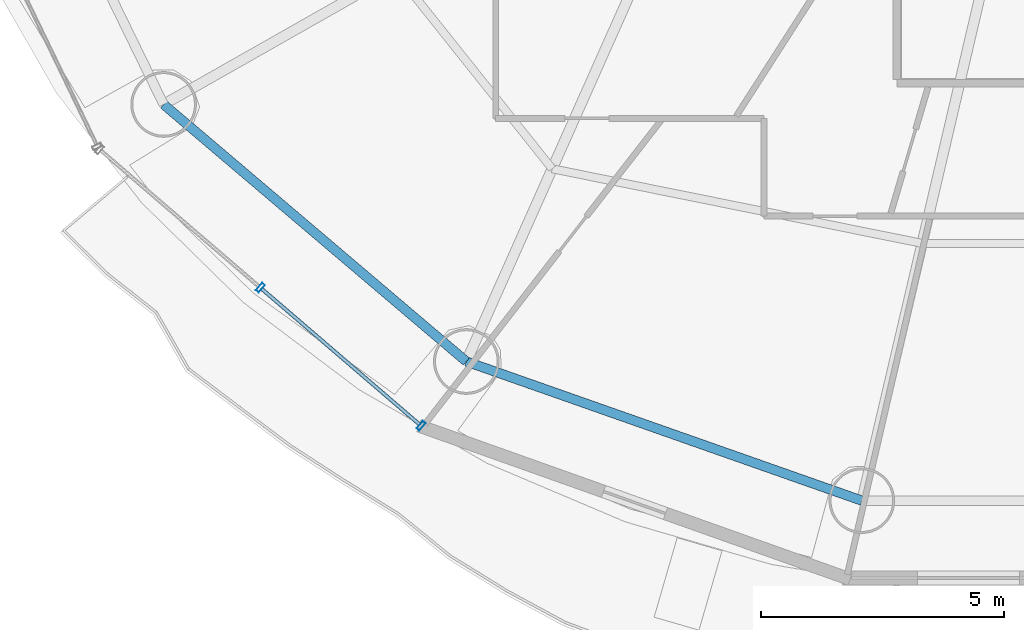
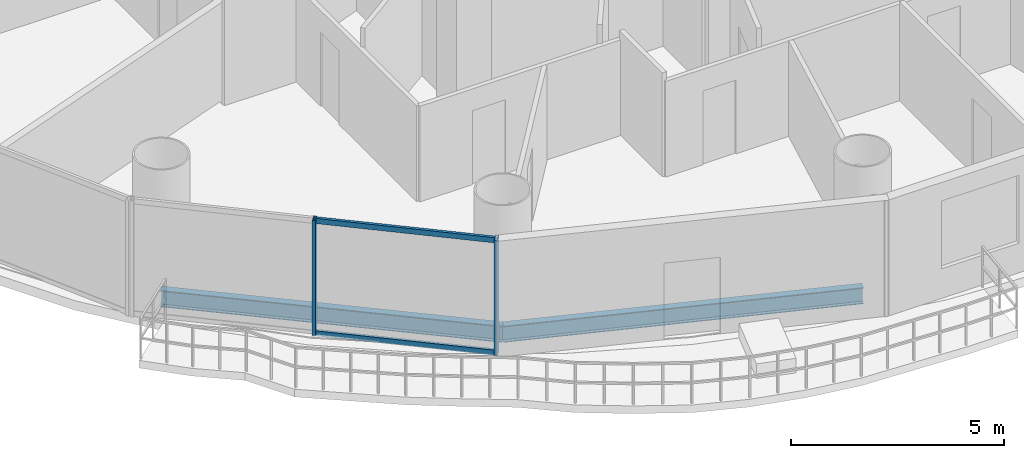
# One storey, part 2 of 27: 4 members, 2 beams, 1 element without a shape of its own.
"""IFC4 building model written with IfcOpenShell, lengths in metres."""

from ifc_helpers import new_model, si_unit, direction, frame, origin, origin_2d, place, context, subcontext, project, spatial, hollow_rectangle, i_section, extrude, source, transform, mapped, material, material_profile, profile_set, type_object, element, aggregate, save


model = new_model("IFC4")

# Units and contexts
model_context = context("Model", 3, precision=1e-05, world=origin(), true_north=direction((-0.2419218956, 0.970295726276)))
body_context = subcontext(model_context, "Body", "Model", "MODEL_VIEW")
ifc_project = project(units=[si_unit("LENGTHUNIT", "METRE"), si_unit("AREAUNIT", "SQUARE_METRE"), si_unit("VOLUMEUNIT", "CUBIC_METRE"), si_unit("PLANEANGLEUNIT", "RADIAN"), si_unit("MASSUNIT", "GRAM", prefix="KILO")], contexts=[model_context])

# Site, building, storey
site_placement = place(None, origin())
site = spatial("IfcSite", under=ifc_project, at=site_placement, CompositionType="ELEMENT")
building_placement = place(site_placement, origin())
building = spatial("IfcBuilding", under=site, at=building_placement, Name="Cobrevalo Terracotta Tower", CompositionType="ELEMENT")
storey_placement = place(building_placement, frame((0.0, 0.0, 146.199951171875)))
storey = spatial("IfcBuildingStorey", under=building, at=storey_placement, Name="L38", CompositionType="ELEMENT", Elevation=146.199951171875)

# Beams
ifc_material_1 = material(Name="Steel S355", Category="steel")
ifc_material_profile_1 = material_profile(ifc_material_1, i_section(OverallWidth=0.194091796875, OverallDepth=0.468994140625, WebThickness=0.011474609375, FlangeThickness=0.0205078125, at=origin_2d()), Name="W 460x106")
ifc_profile_set_1 = profile_set([ifc_material_profile_1], Name="Steel S355")
beam_type = type_object("IfcBeamType", Name="Structural Spandrel W 460x106 (Steel S355)", PredefinedType="SPANDREL", material=ifc_profile_set_1)
beam_1_placement = place(storey_placement, frame((19.250244140625, 16.160888671875, -0.50439453125), z_axis=(0.762240337798, -0.647294112003, 0.0), x_axis=(0.647294112003, 0.762240337798, 0.0)))
element("IfcBeam", 1, at=beam_1_placement, inside=storey, type_object=beam_type, Name="L38 perimeter ring spandrel 10", PredefinedType="SPANDREL", context=body_context, shape_type="SweptSolid", body=[
    extrude(i_section(OverallWidth=0.194091796875, OverallDepth=0.468994140625, WebThickness=0.011474609375, FlangeThickness=0.0205078125, at=origin_2d()), origin(), (0.0, 0.0, 1.0), 8.162353515625),
])
beam_2_placement = place(storey_placement, frame((25.471923828125, 10.87744140625, -0.50439453125), z_axis=(0.943341298492, -0.331824041565, 0.0), x_axis=(0.331824041565, 0.943341298492, 0.0)))
element("IfcBeam", 2, at=beam_2_placement, inside=storey, type_object=beam_type, Name="L38 perimeter ring spandrel 11", PredefinedType="SPANDREL", context=body_context, shape_type="SweptSolid", body=[
    extrude(i_section(OverallWidth=0.194091796875, OverallDepth=0.468994140625, WebThickness=0.011474609375, FlangeThickness=0.0205078125, at=origin_2d()), origin(), (0.0, 0.0, 1.0), 8.6171875),
])

# Curtain wall, members
ifc_material_2 = material(Name="Anodized aluminium", Category="aluminium")
curtain_wall_type = type_object("IfcCurtainWallType", Name="Mid-tower high-wind unitised curtain wall CW-U2", PredefinedType="NOTDEFINED", material=ifc_material_2)
curtain_wall_placement = place(storey_placement, origin())
curtain_wall = element("IfcCurtainWall", 3, at=curtain_wall_placement, inside=storey, type_object=curtain_wall_type, Name="L38 curtain wall CW-L38-S10", PredefinedType="NOTDEFINED")
ifc_material_profile_2 = material_profile(ifc_material_2, hollow_rectangle(XDim=0.074951171875, YDim=0.199951171875, WallThickness=0.0048828125, at=origin_2d()), Name="CWM 75x200")
ifc_profile_set_2 = profile_set([ifc_material_profile_2], Name="Anodized aluminium")
member_type_1 = type_object("IfcMemberType", Name="Lower/mid tower unitised mullion 75x200", PredefinedType="MULLION", material=ifc_profile_set_2)
shared_shape_1 = source(origin(), body_context, "Body", "SweptSolid", [
    extrude(hollow_rectangle(XDim=0.074951171875, YDim=0.199951171875, WallThickness=0.0048828125, at=origin_2d()), origin(), (0.0, 0.0, 1.0), 3.330078125),
])
member_1_placement = place(storey_placement, frame((21.237548828125, 12.3955078125, 0.0), z_axis=(0.0, 0.0, 1.0), x_axis=(0.758441546142, -0.65174106905, 0.0)))
member_1 = element("IfcMember", 4, at=member_1_placement, type_object=member_type_1, Name="CW-L38-S10 vertical mullion 02", PredefinedType="MULLION", context=body_context, shape_type="MappedRepresentation", body=[
    mapped(shared_shape_1, transform((0.0, 0.0, 0.0), scale=1.0)),
])
member_2_placement = place(storey_placement, frame((24.54150390625, 9.556396484375, 0.0), z_axis=(0.0, 0.0, 1.0), x_axis=(0.758441546142, -0.65174106905, 0.0)))
member_2 = element("IfcMember", 5, at=member_2_placement, type_object=member_type_1, Name="CW-L38-S10 vertical mullion 03", PredefinedType="MULLION", context=body_context, shape_type="MappedRepresentation", body=[
    mapped(shared_shape_1, transform((0.0, 0.0, 0.0), scale=1.0)),
])
ifc_material_profile_3 = material_profile(ifc_material_2, hollow_rectangle(XDim=0.074951171875, YDim=0.14990234375, WallThickness=0.00439453125, at=origin_2d()), Name="CWT 75x150")
ifc_profile_set_3 = profile_set([ifc_material_profile_3], Name="Anodized aluminium")
member_type_2 = type_object("IfcMemberType", Name="Tower unitised aluminium transom 75x150", PredefinedType="USERDEFINED", material=ifc_profile_set_3)
shared_shape_2 = source(origin(), body_context, "Body", "SweptSolid", [
    extrude(hollow_rectangle(XDim=0.074951171875, YDim=0.14990234375, WallThickness=0.00439453125, at=origin_2d()), origin(), (0.0, 0.0, 1.0), 4.276123046875),
])
member_3_placement = place(storey_placement, frame((21.26806640625, 12.36962890625, 0.050048828125), z_axis=(0.758417719247, -0.651768795764, 0.0), x_axis=(0.651768795764, 0.758417719247, 0.0)))
member_3 = element("IfcMember", 6, at=member_3_placement, type_object=member_type_2, Name="CW-L38-S10 transom B02-T1", ObjectType="TRANSOM", PredefinedType="USERDEFINED", context=body_context, shape_type="MappedRepresentation", body=[
    mapped(shared_shape_2, transform((0.0, 0.0, 0.0), scale=1.0)),
])
member_4_placement = place(storey_placement, frame((21.26806640625, 12.36962890625, 3.280029296875), z_axis=(0.758417719247, -0.651768795764, 0.0), x_axis=(0.651768795764, 0.758417719247, 0.0)))
member_4 = element("IfcMember", 7, at=member_4_placement, type_object=member_type_2, Name="CW-L38-S10 transom B02-T2", ObjectType="TRANSOM", PredefinedType="USERDEFINED", context=body_context, shape_type="MappedRepresentation", body=[
    mapped(shared_shape_2, transform((0.0, 0.0, 0.0), scale=1.0)),
])
aggregate(curtain_wall, [member_1, member_2, member_3, member_4])

save(model, "model.ifc")
